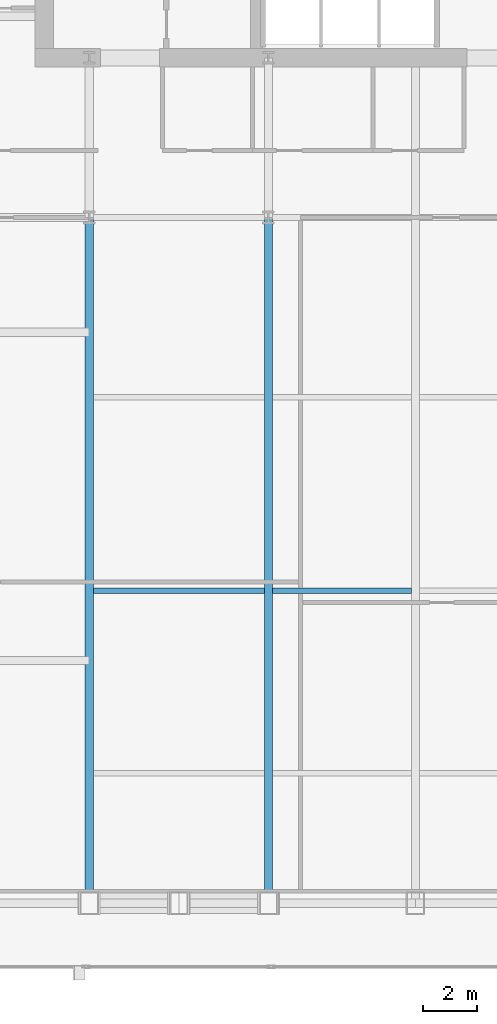
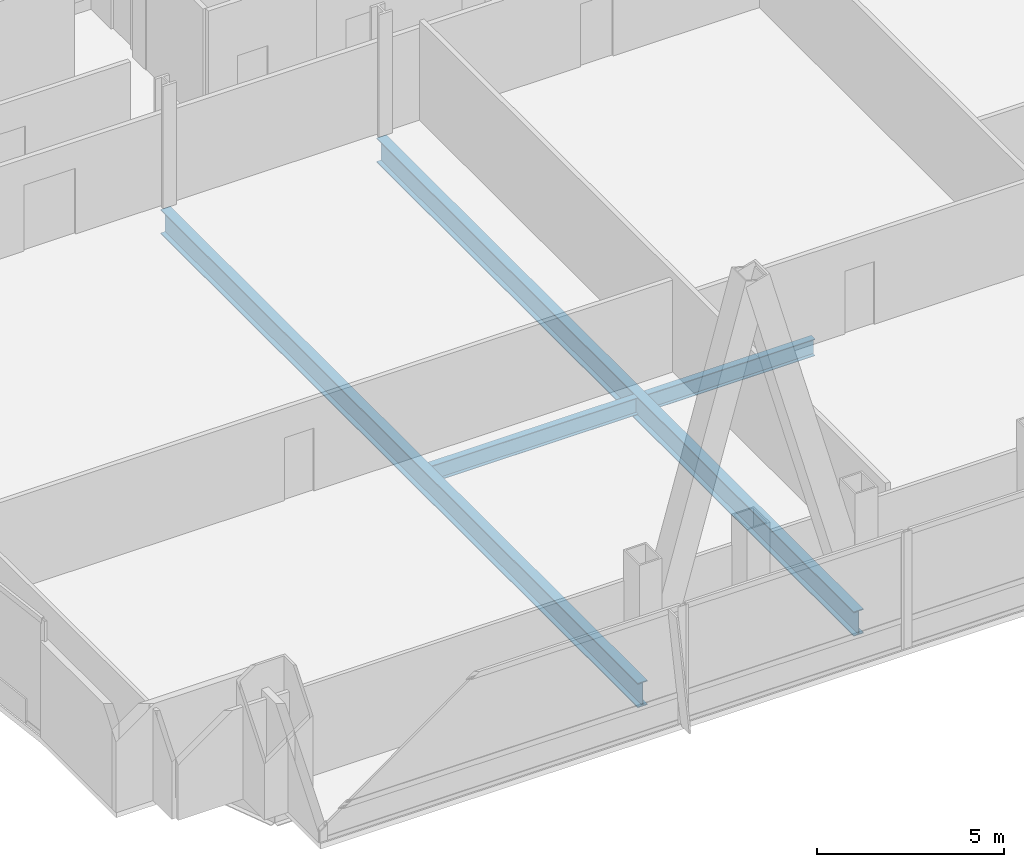
# One storey, part 9 of 32: 4 beams.
"""IFC4 building model written with IfcOpenShell, lengths in metres."""

import ifcopenshell
import ifcopenshell.guid

model = None  # the IFC model being written
_history = None  # IfcOwnerHistory: only IFC2X3 demands one
_inside = {}  # id of a spatial element -> (the spatial element, [elements in it])
_under = {}  # id of a project, library or spatial element -> (it, [spatial elements below it])
_declared = {}  # id of a project -> (the project, [libraries it declares])
_typed = {}  # id of a type object -> (the type object, [elements of that type])
_made_of = {}  # id of a material, layer set ... -> (it, [elements and type objects made of it])


def new_model(schema):
    """Start an empty IFC model of exactly this schema.

    Asked for "IFC4X3", IfcOpenShell would pick the latest addendum, in which some entities
    have other attributes; the version numbers below select the first issue.
    IFC2X3 requires an IfcOwnerHistory on every rooted entity: one is made here for all.
    """
    global model, _history
    if schema == "IFC4X3":
        model = ifcopenshell.file(schema_version=(4, 3, 0, 0))
    else:
        model = ifcopenshell.file(schema=schema)
    _inside.clear()
    _under.clear()
    _declared.clear()
    _typed.clear()
    _made_of.clear()
    _history = None
    if model.schema == "IFC2X3":
        org = make("IfcOrganization", Name="unknown")
        user = make(
            "IfcPersonAndOrganization",
            ThePerson=make("IfcPerson", FamilyName="unknown"),
            TheOrganization=org,
        )
        app = make(
            "IfcApplication",
            ApplicationDeveloper=org,
            Version="unknown",
            ApplicationFullName="unknown",
            ApplicationIdentifier="unknown",
        )
        _history = make(
            "IfcOwnerHistory",
            OwningUser=user,
            OwningApplication=app,
            ChangeAction="ADDED",
            CreationDate=0,
        )
    return model


def make(cls, **values):
    """One entity of the class cls with the attributes given. An attribute that is None is left unset."""
    return model.create_entity(
        cls, **{name: value for name, value in values.items() if value is not None}
    )


def rooted(cls, **values):
    """An entity with a GlobalId (a new one), such as an element, a storey or a relation."""
    return make(cls, GlobalId=ifcopenshell.guid.new(), OwnerHistory=_history, **values)


def si_unit(unit_type, name, prefix=None):
    """IfcSIUnit, for example si_unit("LENGTHUNIT", "METRE", prefix="MILLI")."""
    return make("IfcSIUnit", UnitType=unit_type, Prefix=prefix, Name=name)


def assignment(units):
    """IfcUnitAssignment: the units of a project."""
    return None if units is None else make("IfcUnitAssignment", Units=units)


def point(xyz):
    """IfcCartesianPoint."""
    return None if xyz is None else make("IfcCartesianPoint", Coordinates=xyz)


def direction(xyz):
    """IfcDirection."""
    return None if xyz is None else make("IfcDirection", DirectionRatios=xyz)


def frame(location, z_axis=None, x_axis=None):
    """IfcAxis2Placement3D, a coordinate frame: its origin and axes. An axis left out is left unset."""
    return make(
        "IfcAxis2Placement3D",
        Location=point(location),
        Axis=direction(z_axis),
        RefDirection=direction(x_axis),
    )


def frame_2d(location, x_axis=None):
    """IfcAxis2Placement2D, a coordinate frame in the plane: its origin and x axis."""
    return make(
        "IfcAxis2Placement2D", Location=point(location), RefDirection=direction(x_axis)
    )


def origin():
    """The frame at (0, 0, 0) with its axes left unset."""
    return frame((0.0, 0.0, 0.0))


def origin_2d():
    """The frame at (0, 0) in the plane with its x axis left unset."""
    return frame_2d((0.0, 0.0))


def place(relative_to, where):
    """IfcLocalPlacement: puts the frame where relative to a parent placement (None: the world)."""
    return make(
        "IfcLocalPlacement", PlacementRelTo=relative_to, RelativePlacement=where
    )


def context(
    kind, dimensions, precision=None, world=None, true_north=None, identifier=None
):
    """IfcGeometricRepresentationContext, for example the 3D "Model" context."""
    return make(
        "IfcGeometricRepresentationContext",
        ContextIdentifier=identifier,
        ContextType=kind,
        CoordinateSpaceDimension=dimensions,
        Precision=precision,
        WorldCoordinateSystem=world,
        TrueNorth=true_north,
    )


def subcontext(parent, identifier, kind, view, scale=None):
    """IfcGeometricRepresentationSubContext, for example "Body" below "Model"."""
    return make(
        "IfcGeometricRepresentationSubContext",
        ContextIdentifier=identifier,
        ContextType=kind,
        ParentContext=parent,
        TargetScale=scale,
        TargetView=view,
    )


def project(units=None, contexts=None):
    """IfcProject with its units and contexts."""
    return rooted(
        "IfcProject",
        Name="project",
        RepresentationContexts=contexts,
        UnitsInContext=assignment(units),
    )


def spatial(cls, under=None, at=None, **own):
    """A site, building, storey or space (cls), placed at a placement, below another one or the project."""
    s = rooted(cls, ObjectPlacement=at, **own)
    if under is not None:
        _under.setdefault(under.id(), (under, []))[1].append(s)
    return s


def profile(cls, at=None, kind="AREA", **sizes):
    """A parametric profile (cls). Its sizes go by their IFC names, for example OverallWidth=200.0."""
    return make(cls, ProfileType=kind, Position=at, **sizes)


def i_section(**sizes):
    """IfcIShapeProfileDef."""
    return profile("IfcIShapeProfileDef", **sizes)


def extrude(swept, where, along, depth):
    """IfcExtrudedAreaSolid: the profile swept, set in the frame where, extruded along a direction by depth."""
    return make(
        "IfcExtrudedAreaSolid",
        SweptArea=swept,
        Position=where,
        ExtrudedDirection=direction(along),
        Depth=depth,
    )


def shape(context_of_items, identifier, shape_type, items):
    """IfcShapeRepresentation: the items that make up one representation, for example the "Body"."""
    return make(
        "IfcShapeRepresentation",
        ContextOfItems=context_of_items,
        RepresentationIdentifier=identifier,
        RepresentationType=shape_type,
        Items=items,
    )


def material(Name=None, Category=None):
    """IfcMaterial."""
    return make("IfcMaterial", Name=Name, Category=Category)


def material_profile(
    of_material, cross_section, Name=None, Category=None, Priority=None
):
    """IfcMaterialProfile: a cross section and its material."""
    return make(
        "IfcMaterialProfile",
        Name=Name,
        Material=of_material,
        Profile=cross_section,
        Priority=Priority,
        Category=Category,
    )


def profile_set(profiles, Name=None, composite=None):
    """IfcMaterialProfileSet."""
    return make(
        "IfcMaterialProfileSet",
        Name=Name,
        MaterialProfiles=profiles,
        CompositeProfile=composite,
    )


def made_of(thing, what):
    """Note that an element or type object is made of a material, layer set ...; save() writes the relation."""
    if what is not None:
        _made_of.setdefault(what.id(), (what, []))[1].append(thing)
    return thing


def type_object(cls, material=None, **own):
    """A type object (cls), such as IfcWallType, which elements share."""
    return made_of(rooted(cls, **own), material)


def element(
    cls,
    number,
    at=None,
    inside=None,
    cuts=None,
    type_object=None,
    material=None,
    context=None,
    identifier="Body",
    shape_type=None,
    held_by="IfcProductDefinitionShape",
    body=None,
    shapes=None,
    **own,
):
    """One element of the class cls, such as IfcWall. Its Tag is "e" and its number.

    at: its placement. inside: the storey or other place that contains it. cuts: it is an
    opening in that element (IfcRelVoidsElement). A single representation is given by context,
    identifier, shape_type and body (its items); several are given by shapes. held_by: the class
    of the entity that holds the representations. save() writes the other relations.
    """
    e = rooted(cls, Tag="e%d" % number, ObjectPlacement=at, **own)
    if body is not None:
        shapes = [shape(context, identifier, shape_type, body)]
    if shapes is not None:
        e.Representation = make(held_by, Representations=shapes)
    if inside is not None:
        _inside.setdefault(inside.id(), (inside, []))[1].append(e)
    if cuts is not None:
        rooted(
            "IfcRelVoidsElement", RelatingBuildingElement=cuts, RelatedOpeningElement=e
        )
    if type_object is not None:
        _typed.setdefault(type_object.id(), (type_object, []))[1].append(e)
    return made_of(e, material)


def aggregate(whole, parts):
    """IfcRelAggregates: a whole, such as a stair, and the parts it consists of."""
    return rooted("IfcRelAggregates", RelatingObject=whole, RelatedObjects=parts)


def save(model, path):
    """Write the relations noted so far, then the file.

    IfcRelAggregates (storeys below a building ...), IfcRelContainedInSpatialStructure (elements
    in a storey), IfcRelDefinesByType, IfcRelAssociatesMaterial and IfcRelDeclares: one each for
    every whole, place, type object, material and project.
    """
    for whole, parts in _under.values():
        aggregate(whole, parts)
    for where, things in _inside.values():
        rooted(
            "IfcRelContainedInSpatialStructure",
            RelatedElements=things,
            RelatingStructure=where,
        )
    for kind, things in _typed.values():
        rooted("IfcRelDefinesByType", RelatedObjects=things, RelatingType=kind)
    for what, things in _made_of.values():
        rooted("IfcRelAssociatesMaterial", RelatedObjects=things, RelatingMaterial=what)
    for by, libraries in _declared.values():
        rooted("IfcRelDeclares", RelatingContext=by, RelatedDefinitions=libraries)
    model.write(path)


model = new_model("IFC4")

# Units and contexts
model_context = context("Model", 3, precision=1e-05, world=origin(), true_north=direction((0.0, 1.0)))
body_context = subcontext(model_context, "Body", "Model", "MODEL_VIEW")
ifc_project = project(units=[si_unit("LENGTHUNIT", "METRE"), si_unit("AREAUNIT", "SQUARE_METRE"), si_unit("VOLUMEUNIT", "CUBIC_METRE"), si_unit("PLANEANGLEUNIT", "RADIAN"), si_unit("MASSUNIT", "GRAM", prefix="KILO")], contexts=[model_context])

# Site, building, storey
site_placement = place(None, origin())
site = spatial("IfcSite", under=ifc_project, at=site_placement, CompositionType="ELEMENT")
building_placement = place(site_placement, origin())
building = spatial("IfcBuilding", under=site, at=building_placement, Name="Khoronbel Lancet Exchange", CompositionType="ELEMENT")
storey_placement = place(building_placement, frame((0.0, 0.0, 94.60009765625)))
storey = spatial("IfcBuildingStorey", under=building, at=storey_placement, Name="L22", CompositionType="ELEMENT", Elevation=94.60009765625)

# Beams
ifc_material = material(Name="Steel S355", Category="steel")
ifc_material_profile_1 = material_profile(ifc_material, i_section(OverallWidth=0.300048828125, OverallDepth=0.800048828125, WebThickness=0.017578125, FlangeThickness=0.032958984375, at=origin_2d()), Name="HEB 800")
ifc_profile_set_1 = profile_set([ifc_material_profile_1], Name="Steel S355")
beam_type_1 = type_object("IfcBeamType", Name="BM-BG2", PredefinedType="BEAM", material=ifc_profile_set_1)
for number, where, z_axis, x_axis, name in (
    (1, (18.22509765625, 10.14990234375, -0.580078125), (0.0, 1.0, 0.0), (-1.0, 0.0, 0.0), "Level L22 south primary girder GS1"),
    (2, (24.89990234375, 10.14990234375, -0.580078125), (0.0, 1.0, 0.0), (-1.0, 0.0, 0.0), "Level L22 south primary girder GS2"),
):
    element("IfcBeam", number, at=place(storey_placement, frame(where, z_axis=z_axis, x_axis=x_axis)), inside=storey, type_object=beam_type_1, Name=name, PredefinedType="BEAM", context=body_context, shape_type="SweptSolid", body=[
        extrude(i_section(OverallWidth=0.300048828125, OverallDepth=0.800048828125, WebThickness=0.017578125, FlangeThickness=0.032958984375, at=origin_2d()), origin(), (0.0, 0.0, 1.0), 25.550048828125),
    ])
ifc_material_profile_2 = material_profile(ifc_material, i_section(OverallWidth=0.2099609375, OverallDepth=0.550048828125, WebThickness=0.010986328125, FlangeThickness=0.01708984375, at=origin_2d()), Name="IPE 550")
ifc_profile_set_2 = profile_set([ifc_material_profile_2], Name="Steel S355")
beam_type_2 = type_object("IfcBeamType", Name="BM-BJ2", PredefinedType="JOIST", material=ifc_profile_set_2)
beam_1_placement = place(storey_placement, frame((18.375, 21.800048828125, -0.455078125), z_axis=(1.0, 0.0, 0.0), x_axis=(0.0, 1.0, 0.0)))
element("IfcBeam", 3, at=beam_1_placement, inside=storey, type_object=beam_type_2, Name="Level L22 secondary composite joist J06", PredefinedType="JOIST", context=body_context, shape_type="SweptSolid", body=[
    extrude(i_section(OverallWidth=0.2099609375, OverallDepth=0.550048828125, WebThickness=0.010986328125, FlangeThickness=0.01708984375, at=origin_2d()), origin(), (0.0, 0.0, 1.0), 6.375),
])
beam_2_placement = place(storey_placement, frame((25.050048828125, 21.800048828125, -0.455078125), z_axis=(1.0, 0.0, 0.0), x_axis=(0.0, 1.0, 0.0)))
element("IfcBeam", 4, at=beam_2_placement, inside=storey, type_object=beam_type_2, Name="Level L22 secondary composite joist J07", PredefinedType="JOIST", context=body_context, shape_type="SweptSolid", body=[
    extrude(i_section(OverallWidth=0.2099609375, OverallDepth=0.550048828125, WebThickness=0.010986328125, FlangeThickness=0.01708984375, at=origin_2d()), origin(), (0.0, 0.0, 1.0), 5.175048828125),
])

save(model, "model.ifc")
